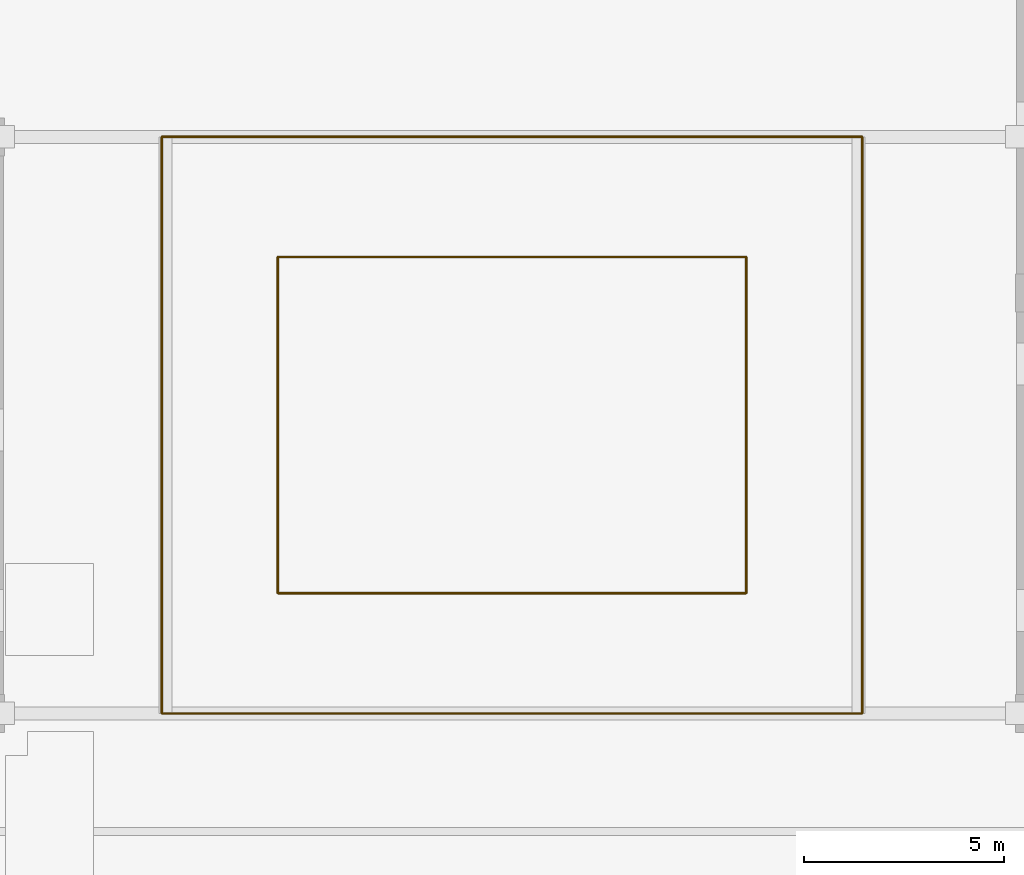
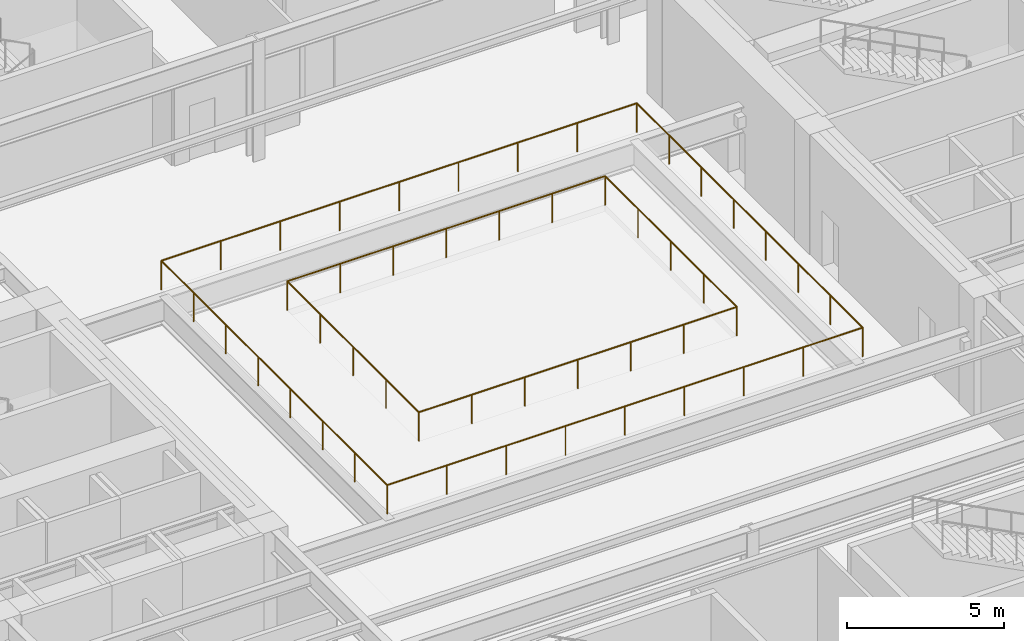
# One storey, part 17 of 24: 4 railings.
"""IFC4 building model written with IfcOpenShell, lengths in metres."""

from ifc_helpers import new_model, si_unit, direction, frame, origin, origin_2d, place, context, subcontext, project, spatial, circle, extrude, material, type_object, element, save


model = new_model("IFC4")

# Units and contexts
model_context = context("Model", 3, precision=1e-05, world=origin(), true_north=direction((0.0, 1.0)))
body_context = subcontext(model_context, "Body", "Model", "MODEL_VIEW")
ifc_project = project(units=[si_unit("LENGTHUNIT", "METRE"), si_unit("AREAUNIT", "SQUARE_METRE"), si_unit("VOLUMEUNIT", "CUBIC_METRE"), si_unit("PLANEANGLEUNIT", "RADIAN"), si_unit("MASSUNIT", "GRAM", prefix="KILO")], contexts=[model_context])

# Site, building, storey
site_placement = place(None, origin())
site = spatial("IfcSite", under=ifc_project, at=site_placement, CompositionType="ELEMENT")
building_placement = place(site_placement, origin())
building = spatial("IfcBuilding", under=site, at=building_placement, Name="Kolvaren Arena Tower", CompositionType="ELEMENT")
storey_placement = place(building_placement, frame((0.0, 0.0, 8.0)))
storey = spatial("IfcBuildingStorey", under=building, at=storey_placement, Name="L01", CompositionType="ELEMENT", Elevation=8.0)

# Railings
ifc_material = material(Name="Heavy-duty crowd steel guardrail", Category="steel")
railing_type = type_object("IfcRailingType", Name="GUARD-ARN-110", PredefinedType="GUARDRAIL", material=ifc_material)
railing_1_placement = place(storey_placement, frame((31.64990234375, 22.449951171875, 3.449951171875)))
element("IfcRailing", 1, at=railing_1_placement, inside=storey, type_object=railing_type, Name="Arena Bowl In Guard (L01)", PredefinedType="GUARDRAIL", context=body_context, shape_type="SweptSolid", body=[
    extrude(circle(Radius=0.02734375, at=origin_2d()), frame((0.0, 0.0, 1.12255859375), z_axis=(1.0, 0.0, 0.0), x_axis=(0.0, 1.0, 0.0)), (0.0, 0.0, 1.0), 11.7001953125),
    extrude(circle(Radius=0.02734375, at=origin_2d()), frame((11.7001953125, 0.0, 1.12255859375), z_axis=(0.0, 1.0, 0.0), x_axis=(-1.0, 0.0, 0.0)), (0.0, 0.0, 1.0), 8.400146484375),
    extrude(circle(Radius=0.0224609375, at=origin_2d()), origin(), (0.0, 0.0, 1.0), 1.094970703125),
    extrude(circle(Radius=0.0224609375, at=origin_2d()), frame((1.949951171875, 0.0, 0.0)), (0.0, 0.0, 1.0), 1.094970703125),
    extrude(circle(Radius=0.0224609375, at=origin_2d()), frame((3.900146484375, 0.0, 0.0)), (0.0, 0.0, 1.0), 1.094970703125),
    extrude(circle(Radius=0.0224609375, at=origin_2d()), frame((5.85009765625, 0.0, 0.0)), (0.0, 0.0, 1.0), 1.094970703125),
    extrude(circle(Radius=0.0224609375, at=origin_2d()), frame((7.800048828125, 0.0, 0.0)), (0.0, 0.0, 1.0), 1.094970703125),
    extrude(circle(Radius=0.0224609375, at=origin_2d()), frame((9.750244140625, 0.0, 0.0)), (0.0, 0.0, 1.0), 1.094970703125),
    extrude(circle(Radius=0.0224609375, at=origin_2d()), frame((11.7001953125, 0.0, 0.0)), (0.0, 0.0, 1.0), 1.094970703125),
    extrude(circle(Radius=0.0224609375, at=origin_2d()), frame((11.7001953125, 2.10009765625, 0.0)), (0.0, 0.0, 1.0), 1.094970703125),
    extrude(circle(Radius=0.0224609375, at=origin_2d()), frame((11.7001953125, 4.2001953125, 0.0)), (0.0, 0.0, 1.0), 1.094970703125),
    extrude(circle(Radius=0.0224609375, at=origin_2d()), frame((11.7001953125, 6.300048828125, 0.0)), (0.0, 0.0, 1.0), 1.094970703125),
    extrude(circle(Radius=0.0224609375, at=origin_2d()), frame((11.7001953125, 8.400146484375, 0.0)), (0.0, 0.0, 1.0), 1.094970703125),
])
railing_2_placement = place(storey_placement, frame((43.35009765625, 30.85009765625, 3.449951171875)))
element("IfcRailing", 2, at=railing_2_placement, inside=storey, type_object=railing_type, Name="Arena Bowl In Guard (L01)", PredefinedType="GUARDRAIL", context=body_context, shape_type="SweptSolid", body=[
    extrude(circle(Radius=0.02734375, at=origin_2d()), frame((0.0, 0.0, 1.12255859375), z_axis=(-1.0, 0.0, 0.0), x_axis=(0.0, -1.0, 0.0)), (0.0, 0.0, 1.0), 11.7001953125),
    extrude(circle(Radius=0.02734375, at=origin_2d()), frame((-11.7001953125, 0.0, 1.12255859375), z_axis=(0.0, -1.0, 0.0), x_axis=(1.0, 0.0, 0.0)), (0.0, 0.0, 1.0), 8.400146484375),
    extrude(circle(Radius=0.0224609375, at=origin_2d()), origin(), (0.0, 0.0, 1.0), 1.094970703125),
    extrude(circle(Radius=0.0224609375, at=origin_2d()), frame((-1.949951171875, 0.0, 0.0)), (0.0, 0.0, 1.0), 1.094970703125),
    extrude(circle(Radius=0.0224609375, at=origin_2d()), frame((-3.900146484375, 0.0, 0.0)), (0.0, 0.0, 1.0), 1.094970703125),
    extrude(circle(Radius=0.0224609375, at=origin_2d()), frame((-5.85009765625, 0.0, 0.0)), (0.0, 0.0, 1.0), 1.094970703125),
    extrude(circle(Radius=0.0224609375, at=origin_2d()), frame((-7.800048828125, 0.0, 0.0)), (0.0, 0.0, 1.0), 1.094970703125),
    extrude(circle(Radius=0.0224609375, at=origin_2d()), frame((-9.750244140625, 0.0, 0.0)), (0.0, 0.0, 1.0), 1.094970703125),
    extrude(circle(Radius=0.0224609375, at=origin_2d()), frame((-11.7001953125, 0.0, 0.0)), (0.0, 0.0, 1.0), 1.094970703125),
    extrude(circle(Radius=0.0224609375, at=origin_2d()), frame((-11.7001953125, -2.10009765625, 0.0)), (0.0, 0.0, 1.0), 1.094970703125),
    extrude(circle(Radius=0.0224609375, at=origin_2d()), frame((-11.7001953125, -4.2001953125, 0.0)), (0.0, 0.0, 1.0), 1.094970703125),
    extrude(circle(Radius=0.0224609375, at=origin_2d()), frame((-11.7001953125, -6.300048828125, 0.0)), (0.0, 0.0, 1.0), 1.094970703125),
    extrude(circle(Radius=0.0224609375, at=origin_2d()), frame((-11.7001953125, -8.400146484375, 0.0)), (0.0, 0.0, 1.0), 1.094970703125),
])
railing_3_placement = place(storey_placement, frame((28.75, 19.449951171875, 3.449951171875)))
element("IfcRailing", 3, at=railing_3_placement, inside=storey, type_object=railing_type, Name="Arena Bowl Out Guard (L01)", PredefinedType="GUARDRAIL", context=body_context, shape_type="SweptSolid", body=[
    extrude(circle(Radius=0.02734375, at=origin_2d()), frame((0.0, 0.0, 1.12255859375), z_axis=(1.0, 0.0, 0.0), x_axis=(0.0, 1.0, 0.0)), (0.0, 0.0, 1.0), 17.5),
    extrude(circle(Radius=0.02734375, at=origin_2d()), frame((17.5, 0.0, 1.12255859375), z_axis=(0.0, 1.0, 0.0), x_axis=(-1.0, 0.0, 0.0)), (0.0, 0.0, 1.0), 14.400146484375),
    extrude(circle(Radius=0.0224609375, at=origin_2d()), origin(), (0.0, 0.0, 1.0), 1.094970703125),
    extrude(circle(Radius=0.0224609375, at=origin_2d()), frame((2.1875, 0.0, 0.0)), (0.0, 0.0, 1.0), 1.094970703125),
    extrude(circle(Radius=0.0224609375, at=origin_2d()), frame((4.375, 0.0, 0.0)), (0.0, 0.0, 1.0), 1.094970703125),
    extrude(circle(Radius=0.0224609375, at=origin_2d()), frame((6.5625, 0.0, 0.0)), (0.0, 0.0, 1.0), 1.094970703125),
    extrude(circle(Radius=0.0224609375, at=origin_2d()), frame((8.75, 0.0, 0.0)), (0.0, 0.0, 1.0), 1.094970703125),
    extrude(circle(Radius=0.0224609375, at=origin_2d()), frame((10.9375, 0.0, 0.0)), (0.0, 0.0, 1.0), 1.094970703125),
    extrude(circle(Radius=0.0224609375, at=origin_2d()), frame((13.125, 0.0, 0.0)), (0.0, 0.0, 1.0), 1.094970703125),
    extrude(circle(Radius=0.0224609375, at=origin_2d()), frame((15.3125, 0.0, 0.0)), (0.0, 0.0, 1.0), 1.094970703125),
    extrude(circle(Radius=0.0224609375, at=origin_2d()), frame((17.5, 0.0, 0.0)), (0.0, 0.0, 1.0), 1.094970703125),
    extrude(circle(Radius=0.0224609375, at=origin_2d()), frame((17.5, 2.05712890625, 0.0)), (0.0, 0.0, 1.0), 1.094970703125),
    extrude(circle(Radius=0.0224609375, at=origin_2d()), frame((17.5, 4.1142578125, 0.0)), (0.0, 0.0, 1.0), 1.094970703125),
    extrude(circle(Radius=0.0224609375, at=origin_2d()), frame((17.5, 6.17138671875, 0.0)), (0.0, 0.0, 1.0), 1.094970703125),
    extrude(circle(Radius=0.0224609375, at=origin_2d()), frame((17.5, 8.228759765625, 0.0)), (0.0, 0.0, 1.0), 1.094970703125),
    extrude(circle(Radius=0.0224609375, at=origin_2d()), frame((17.5, 10.285888671875, 0.0)), (0.0, 0.0, 1.0), 1.094970703125),
    extrude(circle(Radius=0.0224609375, at=origin_2d()), frame((17.5, 12.343017578125, 0.0)), (0.0, 0.0, 1.0), 1.094970703125),
    extrude(circle(Radius=0.0224609375, at=origin_2d()), frame((17.5, 14.400146484375, 0.0)), (0.0, 0.0, 1.0), 1.094970703125),
])
railing_4_placement = place(storey_placement, frame((46.25, 33.85009765625, 3.449951171875)))
element("IfcRailing", 4, at=railing_4_placement, inside=storey, type_object=railing_type, Name="Arena Bowl Out Guard (L01)", PredefinedType="GUARDRAIL", context=body_context, shape_type="SweptSolid", body=[
    extrude(circle(Radius=0.02734375, at=origin_2d()), frame((0.0, 0.0, 1.12255859375), z_axis=(-1.0, 0.0, 0.0), x_axis=(0.0, -1.0, 0.0)), (0.0, 0.0, 1.0), 17.5),
    extrude(circle(Radius=0.02734375, at=origin_2d()), frame((-17.5, 0.0, 1.12255859375), z_axis=(0.0, -1.0, 0.0), x_axis=(1.0, 0.0, 0.0)), (0.0, 0.0, 1.0), 14.400146484375),
    extrude(circle(Radius=0.0224609375, at=origin_2d()), origin(), (0.0, 0.0, 1.0), 1.094970703125),
    extrude(circle(Radius=0.0224609375, at=origin_2d()), frame((-2.1875, 0.0, 0.0)), (0.0, 0.0, 1.0), 1.094970703125),
    extrude(circle(Radius=0.0224609375, at=origin_2d()), frame((-4.375, 0.0, 0.0)), (0.0, 0.0, 1.0), 1.094970703125),
    extrude(circle(Radius=0.0224609375, at=origin_2d()), frame((-6.5625, 0.0, 0.0)), (0.0, 0.0, 1.0), 1.094970703125),
    extrude(circle(Radius=0.0224609375, at=origin_2d()), frame((-8.75, 0.0, 0.0)), (0.0, 0.0, 1.0), 1.094970703125),
    extrude(circle(Radius=0.0224609375, at=origin_2d()), frame((-10.9375, 0.0, 0.0)), (0.0, 0.0, 1.0), 1.094970703125),
    extrude(circle(Radius=0.0224609375, at=origin_2d()), frame((-13.125, 0.0, 0.0)), (0.0, 0.0, 1.0), 1.094970703125),
    extrude(circle(Radius=0.0224609375, at=origin_2d()), frame((-15.3125, 0.0, 0.0)), (0.0, 0.0, 1.0), 1.094970703125),
    extrude(circle(Radius=0.0224609375, at=origin_2d()), frame((-17.5, 0.0, 0.0)), (0.0, 0.0, 1.0), 1.094970703125),
    extrude(circle(Radius=0.0224609375, at=origin_2d()), frame((-17.5, -2.05712890625, 0.0)), (0.0, 0.0, 1.0), 1.094970703125),
    extrude(circle(Radius=0.0224609375, at=origin_2d()), frame((-17.5, -4.1142578125, 0.0)), (0.0, 0.0, 1.0), 1.094970703125),
    extrude(circle(Radius=0.0224609375, at=origin_2d()), frame((-17.5, -6.17138671875, 0.0)), (0.0, 0.0, 1.0), 1.094970703125),
    extrude(circle(Radius=0.0224609375, at=origin_2d()), frame((-17.5, -8.228759765625, 0.0)), (0.0, 0.0, 1.0), 1.094970703125),
    extrude(circle(Radius=0.0224609375, at=origin_2d()), frame((-17.5, -10.285888671875, 0.0)), (0.0, 0.0, 1.0), 1.094970703125),
    extrude(circle(Radius=0.0224609375, at=origin_2d()), frame((-17.5, -12.343017578125, 0.0)), (0.0, 0.0, 1.0), 1.094970703125),
    extrude(circle(Radius=0.0224609375, at=origin_2d()), frame((-17.5, -14.400146484375, 0.0)), (0.0, 0.0, 1.0), 1.094970703125),
])

save(model, "model.ifc")
